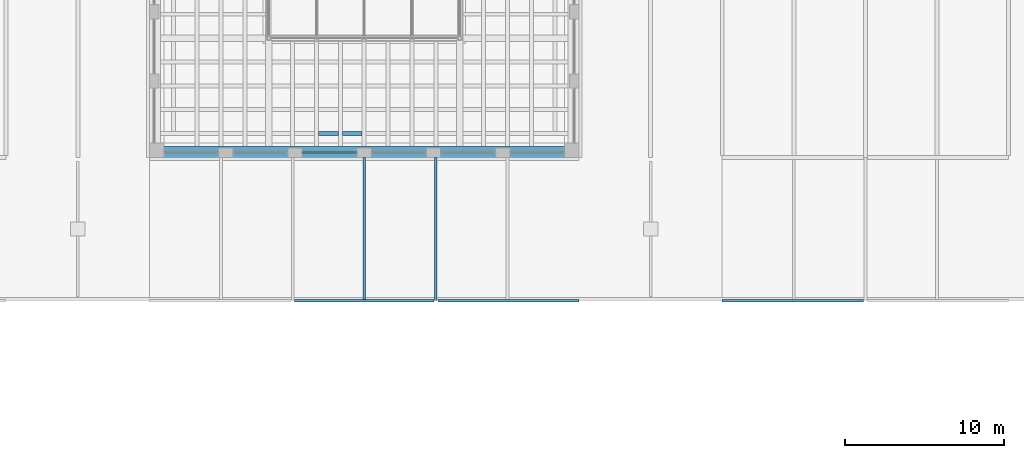
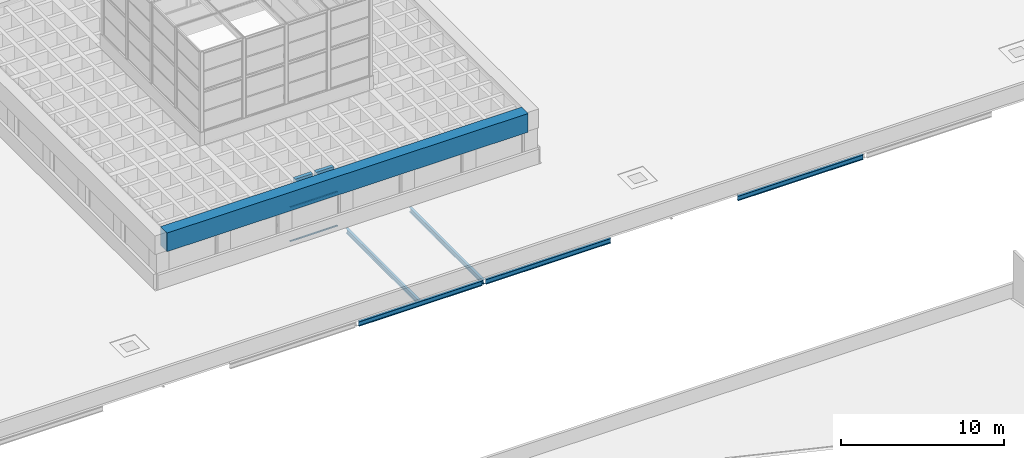
# One storey, part 27 of 50: 8 beams, 2 members, 1 element without a shape of its own.
"""IFC4 building model written with IfcOpenShell, lengths in metres."""

from ifc_helpers import new_model, si_unit, direction, frame, origin, origin_2d, place, context, subcontext, project, spatial, rectangle, i_section, extrude, material, layer, layer_set, material_profile, profile_set, type_object, element, aggregate, save


model = new_model("IFC4")

# Units and contexts
model_context = context("Model", 3, precision=1e-05, world=origin(), true_north=direction((0.0, 1.0)))
body_context = subcontext(model_context, "Body", "Model", "MODEL_VIEW")
ifc_project = project(units=[si_unit("LENGTHUNIT", "METRE"), si_unit("AREAUNIT", "SQUARE_METRE"), si_unit("VOLUMEUNIT", "CUBIC_METRE"), si_unit("PLANEANGLEUNIT", "RADIAN"), si_unit("MASSUNIT", "GRAM", prefix="KILO")], contexts=[model_context])

# Site, building, storey
site_placement = place(None, origin())
site = spatial("IfcSite", under=ifc_project, at=site_placement, CompositionType="ELEMENT")
building_placement = place(site_placement, origin())
building = spatial("IfcBuilding", under=site, at=building_placement, Name="Corbel Yard City Hall", CompositionType="ELEMENT")
storey_placement = place(building_placement, frame((0.0, 0.0, 15.0)))
storey = spatial("IfcBuildingStorey", under=building, at=storey_placement, Name="L03", CompositionType="ELEMENT", Elevation=15.0)

# Beams
ifc_material_1 = material(Name="Steel Grade 300 (300 MPa yield)", Category="steel")
ifc_material_profile_1 = material_profile(ifc_material_1, i_section(OverallWidth=0.1708984375, OverallDepth=0.35205078125, WebThickness=0.0068359375, FlangeThickness=0.009765625, at=origin_2d()), Name="360UB44.7")
ifc_profile_set_1 = profile_set([ifc_material_profile_1], Name="Steel Grade 300 (300 MPa yield)")
beam_type_1 = type_object("IfcBeamType", Name="Beam 360UB44.7", PredefinedType="BEAM", material=ifc_profile_set_1)
beam_1_placement = place(storey_placement, frame((135.0, 45.00439453125, -0.325927734375), z_axis=(0.0, 1.0, 0.0), x_axis=(-1.0, 0.0, 0.0)))
element("IfcBeam", 1, at=beam_1_placement, inside=storey, type_object=beam_type_1, Name="Beam 360UB44.7 SB13 L03roof", PredefinedType="BEAM", context=body_context, shape_type="SweptSolid", body=[
    extrude(i_section(OverallWidth=0.1708984375, OverallDepth=0.35205078125, WebThickness=0.0068359375, FlangeThickness=0.009765625, at=origin_2d()), origin(), (0.0, 0.0, 1.0), 8.99560546875),
])
ifc_material_2 = material(Name="Concrete N50 (50 MPa)", Category="concrete")
ifc_material_profile_2 = material_profile(ifc_material_2, rectangle(XDim=0.800048828125, YDim=1.39990234375, at=origin_2d()), Name="800x1400")
ifc_profile_set_2 = profile_set([ifc_material_profile_2], Name="Concrete N50 (50 MPa)")
beam_type_2 = type_object("IfcBeamType", Name="Chamber roof edge beam RC 800X1400", PredefinedType="BEAM", material=ifc_profile_set_2)
beam_2_placement = place(storey_placement, frame((117.699951171875, 54.300048828125, 3.300048828125), z_axis=(1.0, 0.0, 0.0), x_axis=(0.0, 1.0, 0.0)))
element("IfcBeam", 2, at=beam_2_placement, inside=storey, type_object=beam_type_2, Name="Chamber roof edge beam RC 800X1400 EB14 south", PredefinedType="BEAM", context=body_context, shape_type="SweptSolid", body=[
    extrude(rectangle(XDim=0.800048828125, YDim=1.39990234375, at=origin_2d()), origin(), (0.0, 0.0, 1.0), 25.60009765625),
])
ifc_material_profile_3 = material_profile(ifc_material_2, rectangle(XDim=0.25, YDim=1.050048828125, at=origin_2d()), Name="250x1050")
ifc_profile_set_3 = profile_set([ifc_material_profile_3], Name="Concrete N50 (50 MPa)")
beam_type_3 = type_object("IfcBeamType", Name="Coffer cross rib RC 250X1050", PredefinedType="T_BEAM", material=ifc_profile_set_3)
for number, where, z_axis, x_axis, name in (
    (3, (127.625, 55.5, 3.125), (1.0, 0.0, 0.0), (0.0, 1.0, 0.0), "Coffer cross rib RB3"),
    (4, (129.125, 55.5, 3.125), (1.0, 0.0, 0.0), (0.0, 1.0, 0.0), "Coffer cross rib RB3"),
):
    element("IfcBeam", number, at=place(storey_placement, frame(where, z_axis=z_axis, x_axis=x_axis)), inside=storey, type_object=beam_type_3, Name=name, PredefinedType="T_BEAM", context=body_context, shape_type="SweptSolid", body=[
        extrude(rectangle(XDim=0.25, YDim=1.050048828125, at=origin_2d()), origin(), (0.0, 0.0, 1.0), 1.25),
    ])
ifc_material_profile_4 = material_profile(ifc_material_1, i_section(OverallWidth=0.172119140625, OverallDepth=0.35888671875, WebThickness=0.008056640625, FlangeThickness=0.012939453125, at=origin_2d()), Name="360UB56.7")
ifc_profile_set_4 = profile_set([ifc_material_profile_4], Name="Steel Grade 300 (300 MPa yield)")
beam_type_4 = type_object("IfcBeamType", Name="Edge beam 360UB56.7", PredefinedType="BEAM", material=ifc_profile_set_4)
beam_3_placement = place(storey_placement, frame((126.126953125, 45.0, -0.32958984375), z_axis=(1.0, 0.0, 0.0), x_axis=(0.0, 1.0, 0.0)))
element("IfcBeam", 5, at=beam_3_placement, inside=storey, type_object=beam_type_4, Name="Edge beam 360UB56.7 EB4 L03roof", PredefinedType="BEAM", context=body_context, shape_type="SweptSolid", body=[
    extrude(i_section(OverallWidth=0.172119140625, OverallDepth=0.35888671875, WebThickness=0.008056640625, FlangeThickness=0.012939453125, at=origin_2d()), origin(), (0.0, 0.0, 1.0), 8.74609375),
])
for number, where, z_axis, x_axis, name in (
    (6, (135.126953125, 45.0, -0.32958984375), (1.0, 0.0, 0.0), (0.0, 1.0, 0.0), "Edge beam 360UB56.7 EB4 L03roof"),
    (7, (153.0, 45.0, -0.32958984375), (1.0, 0.0, 0.0), (0.0, 1.0, 0.0), "Edge beam 360UB56.7 EB4 L03roof"),
):
    element("IfcBeam", number, at=place(storey_placement, frame(where, z_axis=z_axis, x_axis=x_axis)), inside=storey, type_object=beam_type_4, Name=name, PredefinedType="BEAM", context=body_context, shape_type="SweptSolid", body=[
        extrude(i_section(OverallWidth=0.172119140625, OverallDepth=0.35888671875, WebThickness=0.008056640625, FlangeThickness=0.012939453125, at=origin_2d()), origin(), (0.0, 0.0, 1.0), 8.873046875),
    ])
ifc_material_profile_5 = material_profile(ifc_material_1, i_section(OverallWidth=0.1708984375, OverallDepth=0.35205078125, WebThickness=0.0068359375, FlangeThickness=0.009765625, at=origin_2d()), Name="360UB44.7")
ifc_profile_set_5 = profile_set([ifc_material_profile_5], Name="Steel Grade 300 (300 MPa yield)")
beam_type_5 = type_object("IfcBeamType", Name="Secondary beam 360UB44.7", PredefinedType="JOIST", material=ifc_profile_set_5)
beam_4_placement = place(storey_placement, frame((130.5, 45.0859375, -0.325927734375), z_axis=(0.0, 1.0, 0.0), x_axis=(-1.0, 0.0, 0.0)))
element("IfcBeam", 8, at=beam_4_placement, inside=storey, type_object=beam_type_5, Name="Secondary beam 360UB44.7 SB11 L03roof", PredefinedType="JOIST", context=body_context, shape_type="SweptSolid", body=[
    extrude(i_section(OverallWidth=0.1708984375, OverallDepth=0.35205078125, WebThickness=0.0068359375, FlangeThickness=0.009765625, at=origin_2d()), origin(), (0.0, 0.0, 1.0), 8.9140625),
])

# Curtain wall, members
ifc_material_3 = material(Name="Aluminium extrusion", Category="aluminium")
ifc_layer = layer(ifc_material_3, 0.1201171875)
ifc_layer_set = layer_set([ifc_layer], Name="Aluminium extrusion")
curtain_wall_type = type_object("IfcCurtainWallType", Name="CW3", PredefinedType="USERDEFINED", material=ifc_layer_set)
curtain_wall_placement = place(storey_placement, origin())
curtain_wall = element("IfcCurtainWall", 9, at=curtain_wall_placement, inside=storey, type_object=curtain_wall_type, Name="Chamber clerestory glazing", ObjectType="CURTAIN WALL", PredefinedType="USERDEFINED")
ifc_material_profile_6 = material_profile(ifc_material_3, rectangle(XDim=0.10009765625, YDim=0.050048828125, at=origin_2d()), Name="100x50")
ifc_profile_set_6 = profile_set([ifc_material_profile_6], Name="Aluminium extrusion")
member_type = type_object("IfcMemberType", Name="TR3", PredefinedType="USERDEFINED", material=ifc_profile_set_6)
member_1_placement = place(storey_placement, frame((126.64990234375, 54.300048828125, 0.02490234375), z_axis=(1.0, 0.0, 0.0), x_axis=(0.0, 1.0, 0.0)))
member_1 = element("IfcMember", 10, at=member_1_placement, type_object=member_type, Name="CW3 transom 1.1", ObjectType="TRANSOM", PredefinedType="USERDEFINED", context=body_context, shape_type="SweptSolid", body=[
    extrude(rectangle(XDim=0.10009765625, YDim=0.050048828125, at=origin_2d()), origin(), (0.0, 0.0, 1.0), 3.35009765625),
])
member_2_placement = place(storey_placement, frame((126.64990234375, 54.300048828125, 2.574951171875), z_axis=(1.0, 0.0, 0.0), x_axis=(0.0, 1.0, 0.0)))
member_2 = element("IfcMember", 11, at=member_2_placement, type_object=member_type, Name="CW3 transom 1.2", ObjectType="TRANSOM", PredefinedType="USERDEFINED", context=body_context, shape_type="SweptSolid", body=[
    extrude(rectangle(XDim=0.10009765625, YDim=0.050048828125, at=origin_2d()), origin(), (0.0, 0.0, 1.0), 3.35009765625),
])
aggregate(curtain_wall, [member_1, member_2])

save(model, "model.ifc")
